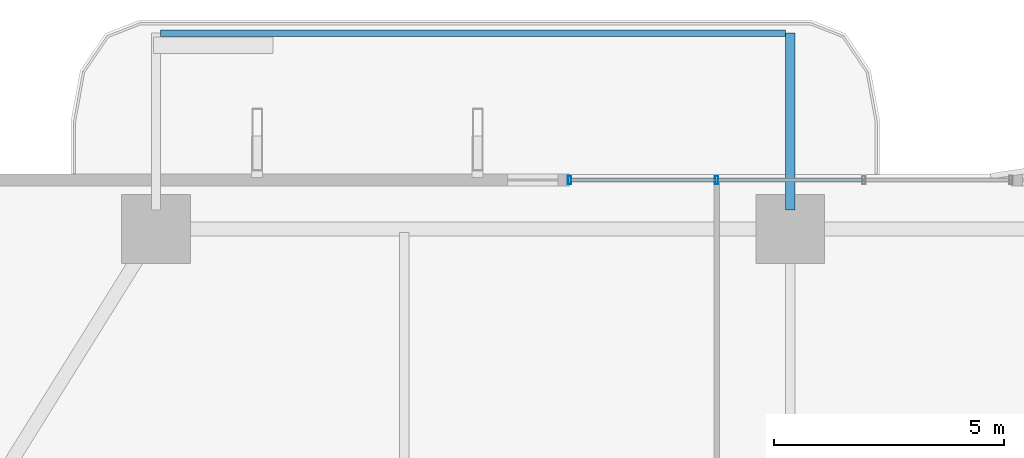
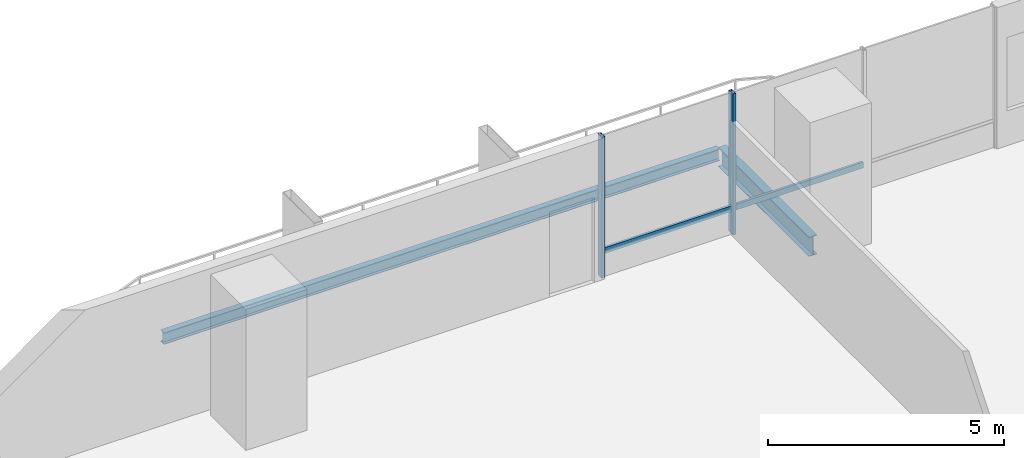
# One storey, part 11 of 23: 4 members, 2 beams, 1 element without a shape of its own.
"""IFC4 building model written with IfcOpenShell, lengths in metres."""

from ifc_helpers import new_model, si_unit, direction, frame, origin, origin_2d, place, context, subcontext, project, spatial, hollow_rectangle, i_section, extrude, material, layer, layer_set, material_profile, profile_set, type_object, element, aggregate, save


model = new_model("IFC4")

# Units and contexts
model_context = context("Model", 3, precision=1e-05, world=origin(), true_north=direction((0.0, 1.0)))
body_context = subcontext(model_context, "Body", "Model", "MODEL_VIEW")
ifc_project = project(units=[si_unit("LENGTHUNIT", "METRE"), si_unit("AREAUNIT", "SQUARE_METRE"), si_unit("VOLUMEUNIT", "CUBIC_METRE"), si_unit("PLANEANGLEUNIT", "RADIAN"), si_unit("MASSUNIT", "GRAM", prefix="KILO")], contexts=[model_context])

# Site, building, storey
site_placement = place(None, origin())
site = spatial("IfcSite", under=ifc_project, at=site_placement, CompositionType="ELEMENT")
building_placement = place(site_placement, origin())
building = spatial("IfcBuilding", under=site, at=building_placement, Name="Belovzor Exchange Tower", CompositionType="ELEMENT")
storey_placement = place(building_placement, frame((0.0, 0.0, 84.60009765625)))
storey = spatial("IfcBuildingStorey", under=building, at=storey_placement, Name="L20", CompositionType="ELEMENT", Elevation=84.60009765625)

# Beams
ifc_material_1 = material(Name="Steel S355", Category="steel")
ifc_material_profile_1 = material_profile(ifc_material_1, i_section(OverallWidth=0.199951171875, OverallDepth=0.5, WebThickness=0.01025390625, FlangeThickness=0.01611328125, at=origin_2d()))
ifc_profile_set_1 = profile_set([ifc_material_profile_1], Name="Steel S355")
beam_type_1 = type_object("IfcBeamType", Name="Planted Balcony Cantilever Beam IPE 500", PredefinedType="BEAM", material=ifc_profile_set_1)
beam_1_placement = place(storey_placement, frame((28.800048828125, 55.9130859375, -0.5), z_axis=(0.0, 1.0, 0.0), x_axis=(-1.0, 0.0, 0.0)))
element("IfcBeam", 1, at=beam_1_placement, inside=storey, type_object=beam_type_1, Name="BC-500 Planted Balcony Cantilever Beam IPE 500", PredefinedType="BEAM", context=body_context, shape_type="SweptSolid", body=[
    extrude(i_section(OverallWidth=0.199951171875, OverallDepth=0.5, WebThickness=0.01025390625, FlangeThickness=0.01611328125, at=origin_2d()), origin(), (0.0, 0.0, 1.0), 3.849853515625),
])
ifc_material_2 = material(Name="Steel S355", Category="steel")
ifc_material_profile_2 = material_profile(ifc_material_2, i_section(OverallWidth=0.14990234375, OverallDepth=0.300048828125, WebThickness=0.007080078125, FlangeThickness=0.0107421875, at=origin_2d()))
ifc_profile_set_2 = profile_set([ifc_material_profile_2], Name="Steel S355")
beam_type_2 = type_object("IfcBeamType", Name="Planted Balcony Fascia Edge Beam IPE 300", PredefinedType="BEAM", material=ifc_profile_set_2)
beam_2_placement = place(storey_placement, frame((28.699951171875, 59.762939453125, -0.400146484375), z_axis=(-1.0, 0.0, 0.0), x_axis=(0.0, -1.0, 0.0)))
element("IfcBeam", 2, at=beam_2_placement, inside=storey, type_object=beam_type_2, Name="BC-300 Planted Balcony Fascia Edge Beam IPE 300", PredefinedType="BEAM", context=body_context, shape_type="SweptSolid", body=[
    extrude(i_section(OverallWidth=0.14990234375, OverallDepth=0.300048828125, WebThickness=0.007080078125, FlangeThickness=0.0107421875, at=origin_2d()), origin(), (0.0, 0.0, 1.0), 13.599853515625),
])

# Curtain wall, members
ifc_material_3 = material(Name="Anodised Aluminium Framing", Category="aluminium")
ifc_layer = layer(ifc_material_3, 0.179931640625)
ifc_layer_set = layer_set([ifc_layer], Name="Anodised Aluminium Framing")
curtain_wall_type = type_object("IfcCurtainWallType", Name="Recessed Loggia Low-Iron Triple-Glazed Curtain Wall", PredefinedType="NOTDEFINED", material=ifc_layer_set)
curtain_wall_placement = place(storey_placement, origin())
curtain_wall = element("IfcCurtainWall", 3, at=curtain_wall_placement, inside=storey, type_object=curtain_wall_type, Name="CW3 Recessed Loggia Low-Iron Triple-Glazed Curtain Wall L20", PredefinedType="NOTDEFINED")
ifc_material_4 = material(Name="Steel S355", Category="steel")
ifc_material_profile_3 = material_profile(ifc_material_4, hollow_rectangle(XDim=0.074951171875, YDim=0.179931640625, WallThickness=0.0048828125, at=origin_2d()))
ifc_profile_set_3 = profile_set([ifc_material_profile_3], Name="Steel S355")
member_type_1 = type_object("IfcMemberType", Name="Thermally Broken Curtain Wall Mullion 180x75", PredefinedType="MULLION", material=ifc_profile_set_3)
member_1_placement = place(storey_placement, frame((24.0, 56.570068359375, 0.0), z_axis=(0.0, 0.0, 1.0), x_axis=(1.0, 0.0, 0.0)))
member_1 = element("IfcMember", 4, at=member_1_placement, type_object=member_type_1, Name="CW-M180 Curtain Wall Mullion 1", PredefinedType="MULLION", context=body_context, shape_type="SweptSolid", body=[
    extrude(hollow_rectangle(XDim=0.074951171875, YDim=0.179931640625, WallThickness=0.0048828125, at=origin_2d()), origin(), (0.0, 0.0, 1.0), 3.64990234375),
])
member_2_placement = place(storey_placement, frame((27.199951171875, 56.570068359375, 0.0), z_axis=(0.0, 0.0, 1.0), x_axis=(1.0, 0.0, 0.0)))
member_2 = element("IfcMember", 5, at=member_2_placement, type_object=member_type_1, Name="CW-M180 Curtain Wall Mullion 2", PredefinedType="MULLION", context=body_context, shape_type="SweptSolid", body=[
    extrude(hollow_rectangle(XDim=0.074951171875, YDim=0.179931640625, WallThickness=0.0048828125, at=origin_2d()), origin(), (0.0, 0.0, 1.0), 3.64990234375),
])
ifc_material_5 = material(Name="Steel S355", Category="steel")
ifc_material_profile_4 = material_profile(ifc_material_5, hollow_rectangle(XDim=0.06005859375, YDim=0.14990234375, WallThickness=0.00390625, at=origin_2d()))
ifc_profile_set_4 = profile_set([ifc_material_profile_4], Name="Steel S355")
member_type_2 = type_object("IfcMemberType", Name="Thermally Broken Curtain Wall Transom 150x60", PredefinedType="USERDEFINED", material=ifc_profile_set_4)
member_3_placement = place(storey_placement, frame((24.008056640625, 56.570068359375, 0.64990234375), z_axis=(1.0, 0.0, 0.0), x_axis=(0.0, 1.0, 0.0)))
member_3 = element("IfcMember", 6, at=member_3_placement, type_object=member_type_2, Name="CW-T150 Curtain Wall Transom 1", ObjectType="TRANSOM", PredefinedType="USERDEFINED", context=body_context, shape_type="SweptSolid", body=[
    extrude(hollow_rectangle(XDim=0.06005859375, YDim=0.14990234375, WallThickness=0.00390625, at=origin_2d()), origin(), (0.0, 0.0, 1.0), 3.183837890625),
])
member_4_placement = place(storey_placement, frame((27.2080078125, 56.570068359375, 0.64990234375), z_axis=(1.0, 0.0, 0.0), x_axis=(0.0, 1.0, 0.0)))
member_4 = element("IfcMember", 7, at=member_4_placement, type_object=member_type_2, Name="CW-T150 Curtain Wall Transom 2", ObjectType="TRANSOM", PredefinedType="USERDEFINED", context=body_context, shape_type="SweptSolid", body=[
    extrude(hollow_rectangle(XDim=0.06005859375, YDim=0.14990234375, WallThickness=0.00390625, at=origin_2d()), origin(), (0.0, 0.0, 1.0), 3.18408203125),
])
aggregate(curtain_wall, [member_1, member_2, member_3, member_4])

save(model, "model.ifc")
